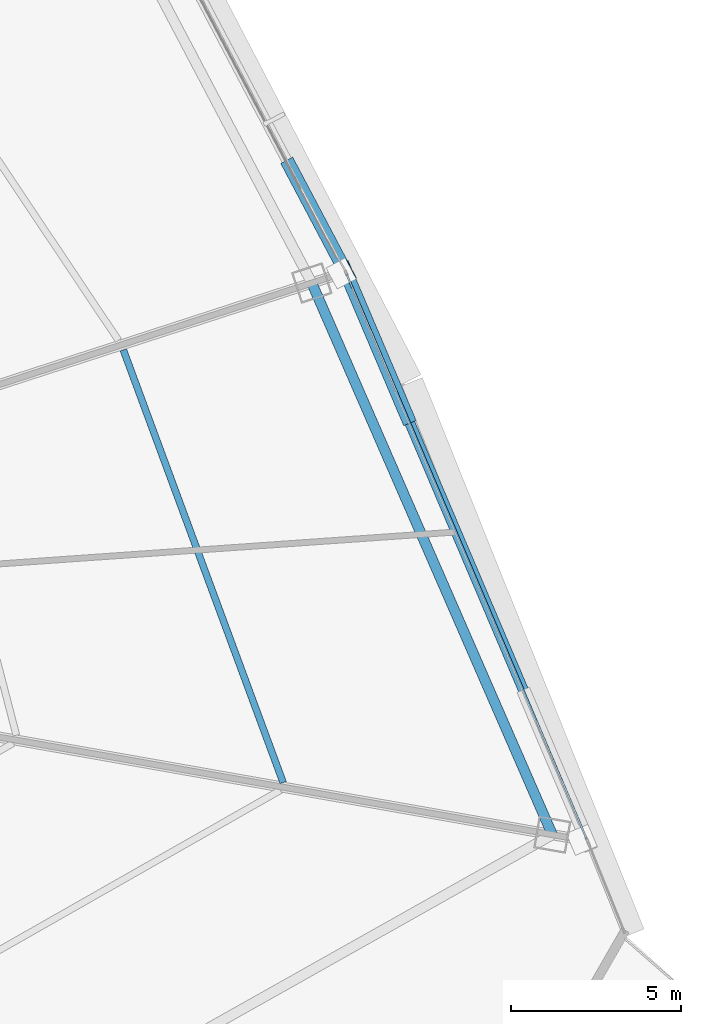
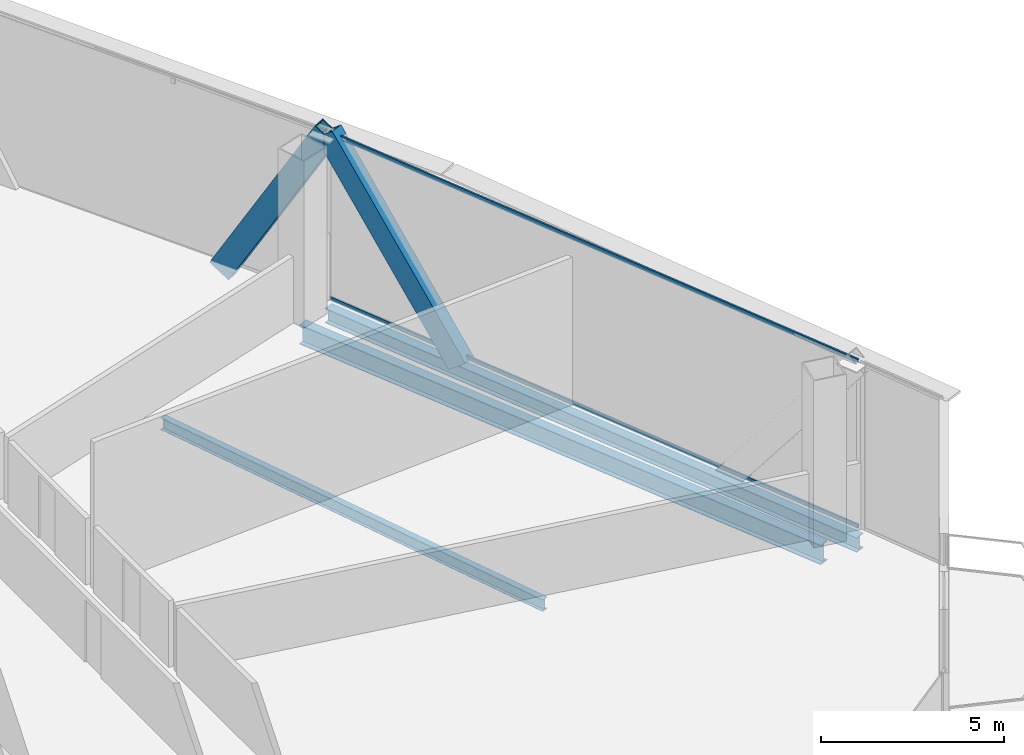
# One storey, part 27 of 40: 4 members, 3 beams, 1 element without a shape of its own.
"""IFC4 building model written with IfcOpenShell, lengths in metres."""

import ifcopenshell
import ifcopenshell.guid

model = None  # the IFC model being written
_history = None  # IfcOwnerHistory: only IFC2X3 demands one
_inside = {}  # id of a spatial element -> (the spatial element, [elements in it])
_under = {}  # id of a project, library or spatial element -> (it, [spatial elements below it])
_declared = {}  # id of a project -> (the project, [libraries it declares])
_typed = {}  # id of a type object -> (the type object, [elements of that type])
_made_of = {}  # id of a material, layer set ... -> (it, [elements and type objects made of it])


def new_model(schema):
    """Start an empty IFC model of exactly this schema.

    Asked for "IFC4X3", IfcOpenShell would pick the latest addendum, in which some entities
    have other attributes; the version numbers below select the first issue.
    IFC2X3 requires an IfcOwnerHistory on every rooted entity: one is made here for all.
    """
    global model, _history
    if schema == "IFC4X3":
        model = ifcopenshell.file(schema_version=(4, 3, 0, 0))
    else:
        model = ifcopenshell.file(schema=schema)
    _inside.clear()
    _under.clear()
    _declared.clear()
    _typed.clear()
    _made_of.clear()
    _history = None
    if model.schema == "IFC2X3":
        org = make("IfcOrganization", Name="unknown")
        user = make(
            "IfcPersonAndOrganization",
            ThePerson=make("IfcPerson", FamilyName="unknown"),
            TheOrganization=org,
        )
        app = make(
            "IfcApplication",
            ApplicationDeveloper=org,
            Version="unknown",
            ApplicationFullName="unknown",
            ApplicationIdentifier="unknown",
        )
        _history = make(
            "IfcOwnerHistory",
            OwningUser=user,
            OwningApplication=app,
            ChangeAction="ADDED",
            CreationDate=0,
        )
    return model


def make(cls, **values):
    """One entity of the class cls with the attributes given. An attribute that is None is left unset."""
    return model.create_entity(
        cls, **{name: value for name, value in values.items() if value is not None}
    )


def rooted(cls, **values):
    """An entity with a GlobalId (a new one), such as an element, a storey or a relation."""
    return make(cls, GlobalId=ifcopenshell.guid.new(), OwnerHistory=_history, **values)


def si_unit(unit_type, name, prefix=None):
    """IfcSIUnit, for example si_unit("LENGTHUNIT", "METRE", prefix="MILLI")."""
    return make("IfcSIUnit", UnitType=unit_type, Prefix=prefix, Name=name)


def assignment(units):
    """IfcUnitAssignment: the units of a project."""
    return None if units is None else make("IfcUnitAssignment", Units=units)


def point(xyz):
    """IfcCartesianPoint."""
    return None if xyz is None else make("IfcCartesianPoint", Coordinates=xyz)


def direction(xyz):
    """IfcDirection."""
    return None if xyz is None else make("IfcDirection", DirectionRatios=xyz)


def frame(location, z_axis=None, x_axis=None):
    """IfcAxis2Placement3D, a coordinate frame: its origin and axes. An axis left out is left unset."""
    return make(
        "IfcAxis2Placement3D",
        Location=point(location),
        Axis=direction(z_axis),
        RefDirection=direction(x_axis),
    )


def frame_2d(location, x_axis=None):
    """IfcAxis2Placement2D, a coordinate frame in the plane: its origin and x axis."""
    return make(
        "IfcAxis2Placement2D", Location=point(location), RefDirection=direction(x_axis)
    )


def origin():
    """The frame at (0, 0, 0) with its axes left unset."""
    return frame((0.0, 0.0, 0.0))


def origin_2d():
    """The frame at (0, 0) in the plane with its x axis left unset."""
    return frame_2d((0.0, 0.0))


def place(relative_to, where):
    """IfcLocalPlacement: puts the frame where relative to a parent placement (None: the world)."""
    return make(
        "IfcLocalPlacement", PlacementRelTo=relative_to, RelativePlacement=where
    )


def context(
    kind, dimensions, precision=None, world=None, true_north=None, identifier=None
):
    """IfcGeometricRepresentationContext, for example the 3D "Model" context."""
    return make(
        "IfcGeometricRepresentationContext",
        ContextIdentifier=identifier,
        ContextType=kind,
        CoordinateSpaceDimension=dimensions,
        Precision=precision,
        WorldCoordinateSystem=world,
        TrueNorth=true_north,
    )


def subcontext(parent, identifier, kind, view, scale=None):
    """IfcGeometricRepresentationSubContext, for example "Body" below "Model"."""
    return make(
        "IfcGeometricRepresentationSubContext",
        ContextIdentifier=identifier,
        ContextType=kind,
        ParentContext=parent,
        TargetScale=scale,
        TargetView=view,
    )


def project(units=None, contexts=None):
    """IfcProject with its units and contexts."""
    return rooted(
        "IfcProject",
        Name="project",
        RepresentationContexts=contexts,
        UnitsInContext=assignment(units),
    )


def spatial(cls, under=None, at=None, **own):
    """A site, building, storey or space (cls), placed at a placement, below another one or the project."""
    s = rooted(cls, ObjectPlacement=at, **own)
    if under is not None:
        _under.setdefault(under.id(), (under, []))[1].append(s)
    return s


def profile(cls, at=None, kind="AREA", **sizes):
    """A parametric profile (cls). Its sizes go by their IFC names, for example OverallWidth=200.0."""
    return make(cls, ProfileType=kind, Position=at, **sizes)


def hollow_rectangle(**sizes):
    """IfcRectangleHollowProfileDef."""
    return profile("IfcRectangleHollowProfileDef", **sizes)


def i_section(**sizes):
    """IfcIShapeProfileDef."""
    return profile("IfcIShapeProfileDef", **sizes)


def extrude(swept, where, along, depth):
    """IfcExtrudedAreaSolid: the profile swept, set in the frame where, extruded along a direction by depth."""
    return make(
        "IfcExtrudedAreaSolid",
        SweptArea=swept,
        Position=where,
        ExtrudedDirection=direction(along),
        Depth=depth,
    )


def shape(context_of_items, identifier, shape_type, items):
    """IfcShapeRepresentation: the items that make up one representation, for example the "Body"."""
    return make(
        "IfcShapeRepresentation",
        ContextOfItems=context_of_items,
        RepresentationIdentifier=identifier,
        RepresentationType=shape_type,
        Items=items,
    )


def source(mapping_origin, context_of_items, identifier, shape_type, items):
    """IfcRepresentationMap: a shape defined once, which mapped items show again and again."""
    return make(
        "IfcRepresentationMap",
        MappingOrigin=mapping_origin,
        MappedRepresentation=shape(context_of_items, identifier, shape_type, items),
    )


def transform(
    local_origin,
    x_axis=None,
    y_axis=None,
    z_axis=None,
    scale=None,
    scale2=None,
    scale3=None,
    uniform=True,
):
    """IfcCartesianTransformationOperator3D, or its non-uniform kind. x_axis, y_axis, z_axis: its Axis1, 2, 3."""
    if uniform:
        return make(
            "IfcCartesianTransformationOperator3D",
            Axis1=direction(x_axis),
            Axis2=direction(y_axis),
            LocalOrigin=point(local_origin),
            Scale=scale,
            Axis3=direction(z_axis),
        )
    return make(
        "IfcCartesianTransformationOperator3DnonUniform",
        Axis1=direction(x_axis),
        Axis2=direction(y_axis),
        LocalOrigin=point(local_origin),
        Scale=scale,
        Axis3=direction(z_axis),
        Scale2=scale2,
        Scale3=scale3,
    )


def mapped(mapping_source, mapping_target):
    """IfcMappedItem: shows the shape of a source again, moved by a transform."""
    return make(
        "IfcMappedItem", MappingSource=mapping_source, MappingTarget=mapping_target
    )


def material(Name=None, Category=None):
    """IfcMaterial."""
    return make("IfcMaterial", Name=Name, Category=Category)


def layer(
    of_material, thickness, ventilated=None, Name=None, Category=None, Priority=None
):
    """IfcMaterialLayer: one layer of a wall or slab, of a material (None: an air gap)."""
    return make(
        "IfcMaterialLayer",
        Material=of_material,
        LayerThickness=thickness,
        IsVentilated=ventilated,
        Name=Name,
        Category=Category,
        Priority=Priority,
    )


def layer_set(layers, Name=None):
    """IfcMaterialLayerSet."""
    return make("IfcMaterialLayerSet", MaterialLayers=layers, LayerSetName=Name)


def material_profile(
    of_material, cross_section, Name=None, Category=None, Priority=None
):
    """IfcMaterialProfile: a cross section and its material."""
    return make(
        "IfcMaterialProfile",
        Name=Name,
        Material=of_material,
        Profile=cross_section,
        Priority=Priority,
        Category=Category,
    )


def profile_set(profiles, Name=None, composite=None):
    """IfcMaterialProfileSet."""
    return make(
        "IfcMaterialProfileSet",
        Name=Name,
        MaterialProfiles=profiles,
        CompositeProfile=composite,
    )


def made_of(thing, what):
    """Note that an element or type object is made of a material, layer set ...; save() writes the relation."""
    if what is not None:
        _made_of.setdefault(what.id(), (what, []))[1].append(thing)
    return thing


def type_object(cls, material=None, **own):
    """A type object (cls), such as IfcWallType, which elements share."""
    return made_of(rooted(cls, **own), material)


def element(
    cls,
    number,
    at=None,
    inside=None,
    cuts=None,
    type_object=None,
    material=None,
    context=None,
    identifier="Body",
    shape_type=None,
    held_by="IfcProductDefinitionShape",
    body=None,
    shapes=None,
    **own,
):
    """One element of the class cls, such as IfcWall. Its Tag is "e" and its number.

    at: its placement. inside: the storey or other place that contains it. cuts: it is an
    opening in that element (IfcRelVoidsElement). A single representation is given by context,
    identifier, shape_type and body (its items); several are given by shapes. held_by: the class
    of the entity that holds the representations. save() writes the other relations.
    """
    e = rooted(cls, Tag="e%d" % number, ObjectPlacement=at, **own)
    if body is not None:
        shapes = [shape(context, identifier, shape_type, body)]
    if shapes is not None:
        e.Representation = make(held_by, Representations=shapes)
    if inside is not None:
        _inside.setdefault(inside.id(), (inside, []))[1].append(e)
    if cuts is not None:
        rooted(
            "IfcRelVoidsElement", RelatingBuildingElement=cuts, RelatedOpeningElement=e
        )
    if type_object is not None:
        _typed.setdefault(type_object.id(), (type_object, []))[1].append(e)
    return made_of(e, material)


def aggregate(whole, parts):
    """IfcRelAggregates: a whole, such as a stair, and the parts it consists of."""
    return rooted("IfcRelAggregates", RelatingObject=whole, RelatedObjects=parts)


def save(model, path):
    """Write the relations noted so far, then the file.

    IfcRelAggregates (storeys below a building ...), IfcRelContainedInSpatialStructure (elements
    in a storey), IfcRelDefinesByType, IfcRelAssociatesMaterial and IfcRelDeclares: one each for
    every whole, place, type object, material and project.
    """
    for whole, parts in _under.values():
        aggregate(whole, parts)
    for where, things in _inside.values():
        rooted(
            "IfcRelContainedInSpatialStructure",
            RelatedElements=things,
            RelatingStructure=where,
        )
    for kind, things in _typed.values():
        rooted("IfcRelDefinesByType", RelatedObjects=things, RelatingType=kind)
    for what, things in _made_of.values():
        rooted("IfcRelAssociatesMaterial", RelatedObjects=things, RelatingMaterial=what)
    for by, libraries in _declared.values():
        rooted("IfcRelDeclares", RelatingContext=by, RelatedDefinitions=libraries)
    model.write(path)


model = new_model("IFC4")

# Units and contexts
model_context = context("Model", 3, precision=1e-05, world=origin(), true_north=direction((0.0, 1.0)))
body_context = subcontext(model_context, "Body", "Model", "MODEL_VIEW")
ifc_project = project(units=[si_unit("LENGTHUNIT", "METRE"), si_unit("AREAUNIT", "SQUARE_METRE"), si_unit("VOLUMEUNIT", "CUBIC_METRE"), si_unit("PLANEANGLEUNIT", "RADIAN"), si_unit("MASSUNIT", "GRAM", prefix="KILO"), si_unit("THERMODYNAMICTEMPERATUREUNIT", "KELVIN"), si_unit("POWERUNIT", "WATT")], contexts=[model_context])

# Site, building, storey
site_placement = place(None, origin())
site = spatial("IfcSite", under=ifc_project, at=site_placement, CompositionType="ELEMENT")
building_placement = place(site_placement, origin())
building = spatial("IfcBuilding", under=site, at=building_placement, Name="Yunzhuo Pagoda Commons", CompositionType="ELEMENT")
storey_placement = place(building_placement, frame((0.0, 0.0, 170.31005859375)))
storey = spatial("IfcBuildingStorey", under=building, at=storey_placement, Name="L43", CompositionType="ELEMENT", Elevation=170.31005859375)

# Beams
ifc_material_1 = material(Name="Structural steel Q355B", Category="steel")
ifc_material_profile_1 = material_profile(ifc_material_1, i_section(OverallWidth=0.300048828125, OverallDepth=0.64990234375, WebThickness=0.012939453125, FlangeThickness=0.02197265625, at=origin_2d()), Name="Structural steel Q355B")
ifc_profile_set_1 = profile_set([ifc_material_profile_1], Name="Structural steel Q355B")
beam_type_1 = type_object("IfcBeamType", Name="B-RG2 Beam HN 650x300x13x22", PredefinedType="BEAM", material=ifc_profile_set_1)
shared_shape_1 = source(origin(), body_context, "Body", "SweptSolid", [
    extrude(i_section(OverallWidth=0.300048828125, OverallDepth=0.64990234375, WebThickness=0.012939453125, FlangeThickness=0.02197265625, at=origin_2d()), origin(), (0.0, 0.0, 1.0), 17.72021484375),
])
beam_1_placement = place(storey_placement, frame((84.9970703125, 27.176513671875, -0.5849609375), z_axis=(-0.399643307961, 0.916670729544, 0.0), x_axis=(-0.916670729544, -0.399643307961, 0.0)))
element("IfcBeam", 1, at=beam_1_placement, inside=storey, type_object=beam_type_1, Name="L43 column-ring beam 5", PredefinedType="BEAM", context=body_context, shape_type="MappedRepresentation", body=[
    mapped(shared_shape_1, transform((0.0, 0.0, 0.0), scale=1.0)),
])
ifc_material_profile_2 = material_profile(ifc_material_1, i_section(OverallWidth=0.199951171875, OverallDepth=0.39990234375, WebThickness=0.008056640625, FlangeThickness=0.012939453125, at=origin_2d()), Name="Structural steel Q355B")
ifc_profile_set_2 = profile_set([ifc_material_profile_2], Name="Structural steel Q355B")
beam_type_2 = type_object("IfcBeamType", Name="B-JS1 Joist HN 400x200x8x13", PredefinedType="JOIST", material=ifc_profile_set_2)
shared_shape_2 = source(origin(), body_context, "Body", "SweptSolid", [
    extrude(i_section(OverallWidth=0.199951171875, OverallDepth=0.39990234375, WebThickness=0.008056640625, FlangeThickness=0.012939453125, at=origin_2d()), origin(), (0.0, 0.0, 1.0), 13.57763671875),
])
beam_2_placement = place(storey_placement, frame((77.07080078125, 28.71337890625, -0.4599609375), z_axis=(-0.346531829181, 0.938038214235, 0.0), x_axis=(-0.938038214235, -0.346531829181, 0.0)))
element("IfcBeam", 2, at=beam_2_placement, inside=storey, type_object=beam_type_2, Name="L43 composite ring joist 2.5", PredefinedType="JOIST", context=body_context, shape_type="MappedRepresentation", body=[
    mapped(shared_shape_2, transform((0.0, 0.0, 0.0), scale=1.0)),
])
ifc_material_profile_3 = material_profile(ifc_material_1, i_section(OverallWidth=0.300048828125, OverallDepth=0.488037109375, WebThickness=0.010986328125, FlangeThickness=0.01806640625, at=origin_2d()), Name="Structural steel Q355B")
ifc_profile_set_3 = profile_set([ifc_material_profile_3], Name="Structural steel Q355B")
beam_type_3 = type_object("IfcBeamType", Name="B-SP1 Beam HM 488x300x11x18", PredefinedType="BEAM", material=ifc_profile_set_3)
shared_shape_3 = source(origin(), body_context, "Body", "SweptSolid", [
    extrude(i_section(OverallWidth=0.300048828125, OverallDepth=0.488037109375, WebThickness=0.010986328125, FlangeThickness=0.01806640625, at=origin_2d()), origin(), (0.0, 0.0, 1.0), 18.199951171875),
])
beam_3_placement = place(storey_placement, frame((86.03125, 26.994140625, -0.504150390625), z_axis=(-0.391069626014, 0.920361096314, 0.0), x_axis=(-0.920361096314, -0.391069626014, 0.0)))
element("IfcBeam", 3, at=beam_3_placement, inside=storey, type_object=beam_type_3, Name="L43 facade edge spandrel beam F2.1", PredefinedType="BEAM", context=body_context, shape_type="MappedRepresentation", body=[
    mapped(shared_shape_3, transform((0.0, 0.0, 0.0), scale=1.0)),
])

# Members
ifc_material_profile_4 = material_profile(ifc_material_1, hollow_rectangle(XDim=0.39990234375, YDim=0.719970703125, WallThickness=0.02392578125, at=origin_2d()), Name="Structural steel Q355B")
ifc_profile_set_4 = profile_set([ifc_material_profile_4], Name="Structural steel Q355B")
member_type_1 = type_object("IfcMemberType", Name="M-DL2 Brace BOX 720x400x24", PredefinedType="BRACE", material=ifc_profile_set_4)
shared_shape_4 = source(origin(), body_context, "Body", "SweptSolid", [
    extrude(hollow_rectangle(XDim=0.39990234375, YDim=0.719970703125, WallThickness=0.02392578125, at=origin_2d()), origin(), (0.0, 0.0, 1.0), 7.395263671875),
])
member_1_placement = place(storey_placement, frame((80.693115234375, 39.556884765625, -0.260009765625), z_axis=(-0.240599214751, 0.566273096956, 0.788318969406), x_axis=(-0.920370027148, -0.391048607116, 0.0)))
element("IfcMember", 4, at=member_1_placement, inside=storey, type_object=member_type_1, Name="L43 facade diamond brace F2.1R", PredefinedType="BRACE", context=body_context, shape_type="MappedRepresentation", body=[
    mapped(shared_shape_4, transform((0.0, 0.0, 0.0), scale=1.0)),
])
shared_shape_5 = source(origin(), body_context, "Body", "SweptSolid", [
    extrude(hollow_rectangle(XDim=0.39990234375, YDim=0.719970703125, WallThickness=0.02392578125, at=origin_2d()), origin(), (0.0, 0.0, 1.0), 6.753173828125),
])
member_2_placement = place(storey_placement, frame((77.322265625, 46.7587890625, -0.260009765625), z_axis=(0.235675270055, -0.446333315555, 0.863275007463), x_axis=(0.884294393308, 0.466929786974, 0.0)))
element("IfcMember", 5, at=member_2_placement, inside=storey, type_object=member_type_1, Name="L43 facade diamond brace F2.2L", PredefinedType="BRACE", context=body_context, shape_type="MappedRepresentation", body=[
    mapped(shared_shape_5, transform((0.0, 0.0, 0.0), scale=1.0)),
])

# Curtain wall, members
ifc_material_2 = material(Name="Anodized aluminium 6063-T6", Category="aluminium")
ifc_layer = layer(ifc_material_2, 0.14990234375)
ifc_layer_set = layer_set([ifc_layer], Name="Anodized aluminium 6063-T6")
curtain_wall_type = type_object("IfcCurtainWallType", Name="CW-MID Mid-Zone Ribbon Curtain Wall", PredefinedType="NOTDEFINED", material=ifc_layer_set)
curtain_wall_placement = place(storey_placement, origin())
curtain_wall = element("IfcCurtainWall", 6, at=curtain_wall_placement, inside=storey, type_object=curtain_wall_type, Name="L43 curtain wall CW-L43-F2B2", PredefinedType="NOTDEFINED")
ifc_material_profile_5 = material_profile(ifc_material_2, hollow_rectangle(XDim=0.054931640625, YDim=0.1298828125, WallThickness=0.00341796875, at=origin_2d()), Name="Anodized aluminium 6063-T6")
ifc_profile_set_5 = profile_set([ifc_material_profile_5], Name="Anodized aluminium 6063-T6")
member_type_2 = type_object("IfcMemberType", Name="CW-MID-T Transom RHS 130x55x3.5", PredefinedType="USERDEFINED", material=ifc_profile_set_5)
shared_shape_6 = source(origin(), body_context, "Body", "SweptSolid", [
    extrude(hollow_rectangle(XDim=0.054931640625, YDim=0.1298828125, WallThickness=0.00341796875, at=origin_2d()), origin(), (0.0, 0.0, 1.0), 18.080078125),
])
member_3_placement = place(storey_placement, frame((86.008056640625, 27.04931640625, 0.02734375), z_axis=(-0.391081736974, 0.920355950166, 0.0), x_axis=(-0.920355950166, -0.391081736974, 0.0)))
member_3 = element("IfcMember", 7, at=member_3_placement, type_object=member_type_2, Name="CW transom 1.1", ObjectType="TRANSOM", PredefinedType="USERDEFINED", context=body_context, shape_type="MappedRepresentation", body=[
    mapped(shared_shape_6, transform((0.0, 0.0, 0.0), scale=1.0)),
])
member_4_placement = place(storey_placement, frame((86.008056640625, 27.04931640625, 5.54248046875), z_axis=(-0.391081736974, 0.920355950166, 0.0), x_axis=(-0.920355950166, -0.391081736974, 0.0)))
member_4 = element("IfcMember", 8, at=member_4_placement, type_object=member_type_2, Name="CW transom 1.2", ObjectType="TRANSOM", PredefinedType="USERDEFINED", context=body_context, shape_type="MappedRepresentation", body=[
    mapped(shared_shape_6, transform((0.0, 0.0, 0.0), scale=1.0)),
])
aggregate(curtain_wall, [member_3, member_4])

save(model, "model.ifc")
